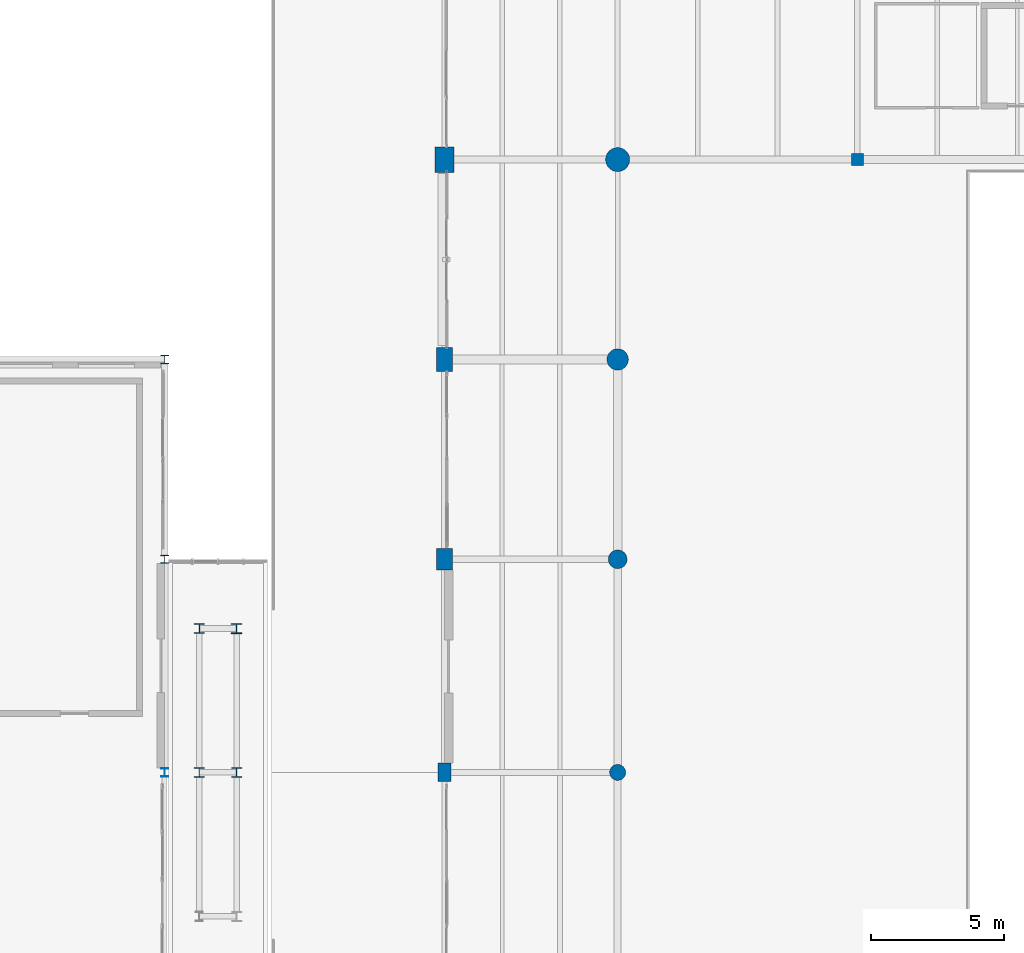
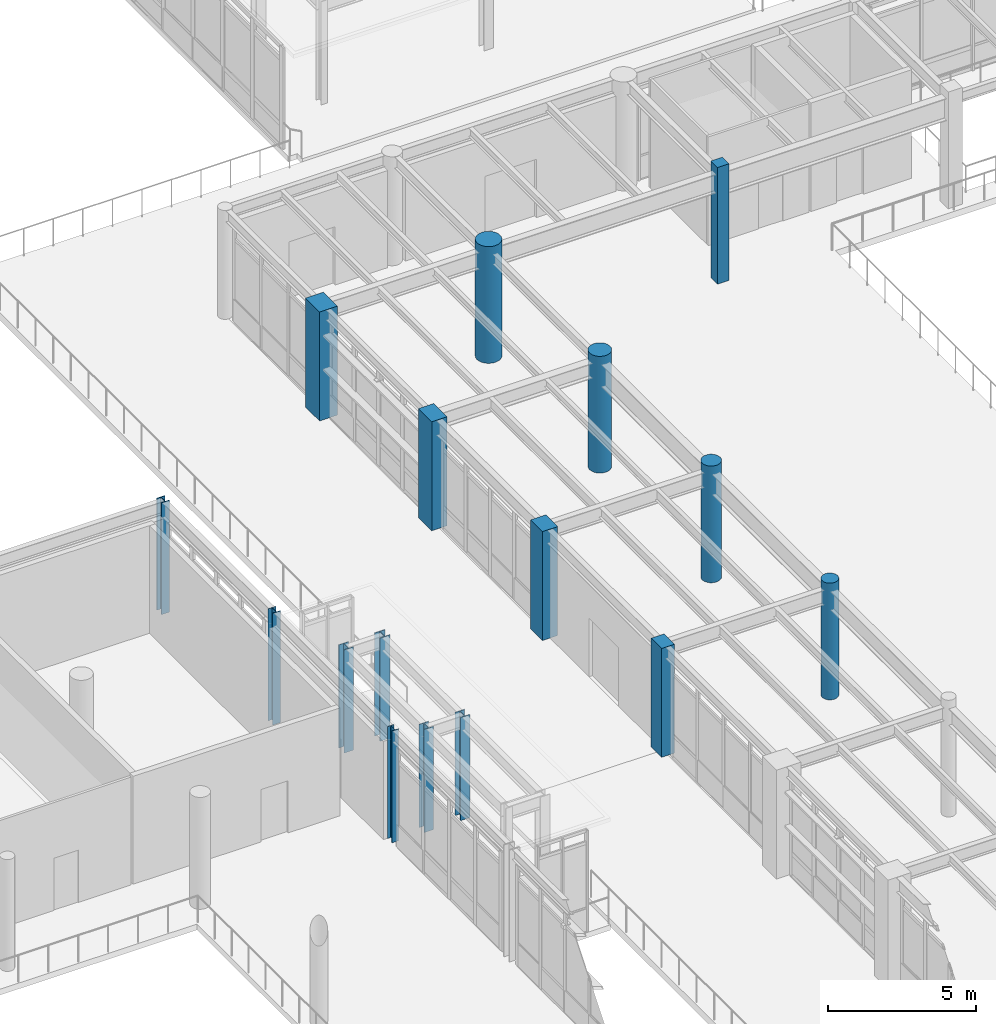
# One storey, part 4 of 200: 16 columns.
"""IFC4 building model written with IfcOpenShell, lengths in metres."""

from ifc_helpers import new_model, si_unit, direction, frame, origin, origin_2d, place, context, subcontext, project, spatial, rectangle, circle, i_section, extrude, material, material_profile, profile_set, type_object, element, save


model = new_model("IFC4")

# Units and contexts
model_context = context("Model", 3, precision=1e-05, world=origin(), true_north=direction((0.0, 1.0)))
body_context = subcontext(model_context, "Body", "Model", "MODEL_VIEW")
ifc_project = project(units=[si_unit("LENGTHUNIT", "METRE"), si_unit("AREAUNIT", "SQUARE_METRE"), si_unit("VOLUMEUNIT", "CUBIC_METRE"), si_unit("PLANEANGLEUNIT", "RADIAN"), si_unit("MASSUNIT", "GRAM", prefix="KILO"), si_unit("THERMODYNAMICTEMPERATUREUNIT", "KELVIN"), si_unit("POWERUNIT", "WATT")], contexts=[model_context])

# Site, building, storey
site_placement = place(None, origin())
site = spatial("IfcSite", under=ifc_project, at=site_placement, CompositionType="ELEMENT")
building_placement = place(site_placement, origin())
building = spatial("IfcBuilding", under=site, at=building_placement, Name="Tepalcoro Natatorium and Aquatics Centre", CompositionType="ELEMENT")
storey_placement = place(building_placement, frame((0.0, 0.0, 5.39990234375)))
storey = spatial("IfcBuildingStorey", under=building, at=storey_placement, Name="L01", CompositionType="ELEMENT", Elevation=5.39990234375)

# Columns
ifc_material_1 = material(Name="Concrete C40/50 (fc 40 MPa)", Category="concrete")
ifc_material_profile_1 = material_profile(ifc_material_1, rectangle(XDim=0.449951171875, YDim=0.449951171875, at=origin_2d()), Name="RC450x450")
ifc_profile_set_1 = profile_set([ifc_material_profile_1], Name="Concrete C40/50 (fc 40 MPa)")
column_type_1 = type_object("IfcColumnType", Name="COL_RC_450x450", PredefinedType="COLUMN", material=ifc_profile_set_1)
column_1_placement = place(storey_placement, frame((62.0, 59.0, 0.0), z_axis=(0.0, 0.0, 1.0), x_axis=(1.0, 0.0, 0.0)))
element("IfcColumn", 1, at=column_1_placement, inside=storey, type_object=column_type_1, Name="V1 L01 Grid Column (62.0, 59.0)", PredefinedType="COLUMN", context=body_context, shape_type="SweptSolid", body=[
    extrude(rectangle(XDim=0.449951171875, YDim=0.449951171875, at=origin_2d()), origin(), (0.0, 0.0, 1.0), 4.800048828125),
])
ifc_material_profile_2 = material_profile(ifc_material_1, rectangle(XDim=0.5, YDim=0.699951171875, at=origin_2d()), Name="RC500x700")
ifc_profile_set_2 = profile_set([ifc_material_profile_2], Name="Concrete C40/50 (fc 40 MPa)")
column_type_2 = type_object("IfcColumnType", Name="COL_RC_500x700", PredefinedType="COLUMN", material=ifc_profile_set_2)
column_2_placement = place(storey_placement, frame((46.5, 36.0, 0.0), z_axis=(0.0, 0.0, 1.0), x_axis=(1.0, 0.0, 0.0)))
element("IfcColumn", 2, at=column_2_placement, inside=storey, type_object=column_type_2, Name="V1 L01 Grid Column (46.5, 36.0)", PredefinedType="COLUMN", context=body_context, shape_type="SweptSolid", body=[
    extrude(rectangle(XDim=0.5, YDim=0.699951171875, at=origin_2d()), origin(), (0.0, 0.0, 1.0), 4.47998046875),
])
ifc_material_profile_3 = material_profile(ifc_material_1, rectangle(XDim=0.60009765625, YDim=0.800048828125, at=origin_2d()), Name="RC600x800")
ifc_profile_set_3 = profile_set([ifc_material_profile_3], Name="Concrete C40/50 (fc 40 MPa)")
column_type_3 = type_object("IfcColumnType", Name="COL_RC_600x800", PredefinedType="COLUMN", material=ifc_profile_set_3)
column_3_placement = place(storey_placement, frame((46.5, 44.0, 0.0), z_axis=(0.0, 0.0, 1.0), x_axis=(1.0, 0.0, 0.0)))
element("IfcColumn", 3, at=column_3_placement, inside=storey, type_object=column_type_3, Name="V1 L01 Grid Column (46.5, 44.0)", PredefinedType="COLUMN", context=body_context, shape_type="SweptSolid", body=[
    extrude(rectangle(XDim=0.60009765625, YDim=0.800048828125, at=origin_2d()), origin(), (0.0, 0.0, 1.0), 4.47998046875),
])
ifc_material_profile_4 = material_profile(ifc_material_1, rectangle(XDim=0.60009765625, YDim=0.89990234375, at=origin_2d()), Name="RC600x900")
ifc_profile_set_4 = profile_set([ifc_material_profile_4], Name="Concrete C40/50 (fc 40 MPa)")
column_type_4 = type_object("IfcColumnType", Name="COL_RC_600x900", PredefinedType="COLUMN", material=ifc_profile_set_4)
column_4_placement = place(storey_placement, frame((46.5, 51.5, 0.0), z_axis=(0.0, 0.0, 1.0), x_axis=(1.0, 0.0, 0.0)))
element("IfcColumn", 4, at=column_4_placement, inside=storey, type_object=column_type_4, Name="V1 L01 Grid Column (46.5, 51.5)", PredefinedType="COLUMN", context=body_context, shape_type="SweptSolid", body=[
    extrude(rectangle(XDim=0.60009765625, YDim=0.89990234375, at=origin_2d()), origin(), (0.0, 0.0, 1.0), 4.47998046875),
])
ifc_material_profile_5 = material_profile(ifc_material_1, rectangle(XDim=0.699951171875, YDim=0.949951171875, at=origin_2d()), Name="RC700x950")
ifc_profile_set_5 = profile_set([ifc_material_profile_5], Name="Concrete C40/50 (fc 40 MPa)")
column_type_5 = type_object("IfcColumnType", Name="COL_RC_700x950", PredefinedType="COLUMN", material=ifc_profile_set_5)
column_5_placement = place(storey_placement, frame((46.5, 59.0, 0.0), z_axis=(0.0, 0.0, 1.0), x_axis=(1.0, 0.0, 0.0)))
element("IfcColumn", 5, at=column_5_placement, inside=storey, type_object=column_type_5, Name="V1 L01 Grid Column (46.5, 59.0)", PredefinedType="COLUMN", context=body_context, shape_type="SweptSolid", body=[
    extrude(rectangle(XDim=0.699951171875, YDim=0.949951171875, at=origin_2d()), origin(), (0.0, 0.0, 1.0), 4.47998046875),
])
ifc_material_profile_6 = material_profile(ifc_material_1, circle(Radius=0.300048828125, at=origin_2d()), Name="RCD600")
ifc_profile_set_6 = profile_set([ifc_material_profile_6], Name="Concrete C40/50 (fc 40 MPa)")
column_type_6 = type_object("IfcColumnType", Name="COL_RC_D600", PredefinedType="COLUMN", material=ifc_profile_set_6)
column_6_placement = place(storey_placement, frame((53.0, 36.0, 0.0), z_axis=(0.0, 0.0, 1.0), x_axis=(1.0, 0.0, 0.0)))
element("IfcColumn", 6, at=column_6_placement, inside=storey, type_object=column_type_6, Name="V1 L01 Grid Column (53.0, 36.0)", PredefinedType="COLUMN", context=body_context, shape_type="SweptSolid", body=[
    extrude(circle(Radius=0.300048828125, at=origin_2d()), origin(), (0.0, 0.0, 1.0), 4.800048828125),
])
ifc_material_profile_7 = material_profile(ifc_material_1, circle(Radius=0.35009765625, at=origin_2d()), Name="RCD700")
ifc_profile_set_7 = profile_set([ifc_material_profile_7], Name="Concrete C40/50 (fc 40 MPa)")
column_type_7 = type_object("IfcColumnType", Name="COL_RC_D700", PredefinedType="COLUMN", material=ifc_profile_set_7)
column_7_placement = place(storey_placement, frame((53.0, 44.0, 0.0), z_axis=(0.0, 0.0, 1.0), x_axis=(1.0, 0.0, 0.0)))
element("IfcColumn", 7, at=column_7_placement, inside=storey, type_object=column_type_7, Name="V1 L01 Grid Column (53.0, 44.0)", PredefinedType="COLUMN", context=body_context, shape_type="SweptSolid", body=[
    extrude(circle(Radius=0.35009765625, at=origin_2d()), origin(), (0.0, 0.0, 1.0), 4.800048828125),
])
ifc_material_profile_8 = material_profile(ifc_material_1, circle(Radius=0.39990234375, at=origin_2d()), Name="RCD800")
ifc_profile_set_8 = profile_set([ifc_material_profile_8], Name="Concrete C40/50 (fc 40 MPa)")
column_type_8 = type_object("IfcColumnType", Name="COL_RC_D800", PredefinedType="COLUMN", material=ifc_profile_set_8)
column_8_placement = place(storey_placement, frame((53.0, 51.5, 0.0), z_axis=(0.0, 0.0, 1.0), x_axis=(1.0, 0.0, 0.0)))
element("IfcColumn", 8, at=column_8_placement, inside=storey, type_object=column_type_8, Name="V1 L01 Grid Column (53.0, 51.5)", PredefinedType="COLUMN", context=body_context, shape_type="SweptSolid", body=[
    extrude(circle(Radius=0.39990234375, at=origin_2d()), origin(), (0.0, 0.0, 1.0), 4.800048828125),
])
ifc_material_profile_9 = material_profile(ifc_material_1, circle(Radius=0.449951171875, at=origin_2d()), Name="RCD900")
ifc_profile_set_9 = profile_set([ifc_material_profile_9], Name="Concrete C40/50 (fc 40 MPa)")
column_type_9 = type_object("IfcColumnType", Name="COL_RC_D900", PredefinedType="COLUMN", material=ifc_profile_set_9)
column_9_placement = place(storey_placement, frame((53.0, 59.0, 0.0), z_axis=(0.0, 0.0, 1.0), x_axis=(1.0, 0.0, 0.0)))
element("IfcColumn", 9, at=column_9_placement, inside=storey, type_object=column_type_9, Name="V1 L01 Grid Column (53.0, 59.0)", PredefinedType="COLUMN", context=body_context, shape_type="SweptSolid", body=[
    extrude(circle(Radius=0.449951171875, at=origin_2d()), origin(), (0.0, 0.0, 1.0), 4.800048828125),
])
ifc_material_2 = material(Name="Steel ASTM A992 Grade 50 (Fy 345 MPa)", Category="steel")
ifc_material_profile_10 = material_profile(ifc_material_2, i_section(OverallWidth=0.31005859375, OverallDepth=0.327880859375, WebThickness=0.014892578125, FlangeThickness=0.02490234375, FilletRadius=0.013916015625, at=origin_2d()), Name="W12X106")
ifc_profile_set_10 = profile_set([ifc_material_profile_10], Name="Steel ASTM A992 Grade 50 (Fy 345 MPa)")
column_type_10 = type_object("IfcColumnType", Name="COL_W12x106", PredefinedType="COLUMN", material=ifc_profile_set_10)
column_10_placement = place(storey_placement, frame((36.0, 51.5, 0.0), z_axis=(0.0, 0.0, 1.0), x_axis=(1.0, 0.0, 0.0)))
element("IfcColumn", 10, at=column_10_placement, inside=storey, type_object=column_type_10, Name="V3 L01 Grid Column (36.0, 51.5)", PredefinedType="COLUMN", context=body_context, shape_type="SweptSolid", body=[
    extrude(i_section(OverallWidth=0.31005859375, OverallDepth=0.327880859375, WebThickness=0.014892578125, FlangeThickness=0.02490234375, FilletRadius=0.013916015625, at=origin_2d()), origin(), (0.0, 0.0, 1.0), 4.60009765625),
])
ifc_material_profile_11 = material_profile(ifc_material_2, i_section(OverallWidth=0.25390625, OverallDepth=0.306884765625, WebThickness=0.009033203125, FlangeThickness=0.014892578125, FilletRadius=0.013916015625, at=origin_2d()), Name="W12X53")
ifc_profile_set_11 = profile_set([ifc_material_profile_11], Name="Steel ASTM A992 Grade 50 (Fy 345 MPa)")
column_type_11 = type_object("IfcColumnType", Name="COL_W12x53", PredefinedType="COLUMN", material=ifc_profile_set_11)
column_11_placement = place(storey_placement, frame((36.0, 36.0, 0.0), z_axis=(0.0, 0.0, 1.0), x_axis=(1.0, 0.0, 0.0)))
element("IfcColumn", 11, at=column_11_placement, inside=storey, type_object=column_type_11, Name="V3 L01 Grid Column (36.0, 36.0)", PredefinedType="COLUMN", context=body_context, shape_type="SweptSolid", body=[
    extrude(i_section(OverallWidth=0.25390625, OverallDepth=0.306884765625, WebThickness=0.009033203125, FlangeThickness=0.014892578125, FilletRadius=0.013916015625, at=origin_2d()), origin(), (0.0, 0.0, 1.0), 4.60009765625),
])
ifc_material_profile_12 = material_profile(ifc_material_2, i_section(OverallWidth=0.306884765625, OverallDepth=0.31494140625, WebThickness=0.011962890625, FlangeThickness=0.01904296875, FilletRadius=0.013916015625, at=origin_2d()), Name="W12X79")
ifc_profile_set_12 = profile_set([ifc_material_profile_12], Name="Steel ASTM A992 Grade 50 (Fy 345 MPa)")
column_type_12 = type_object("IfcColumnType", Name="COL_W12x79", PredefinedType="COLUMN", material=ifc_profile_set_12)
column_12_placement = place(storey_placement, frame((36.0, 44.0, 0.0), z_axis=(0.0, 0.0, 1.0), x_axis=(1.0, 0.0, 0.0)))
element("IfcColumn", 12, at=column_12_placement, inside=storey, type_object=column_type_12, Name="V3 L01 Grid Column (36.0, 44.0)", PredefinedType="COLUMN", context=body_context, shape_type="SweptSolid", body=[
    extrude(i_section(OverallWidth=0.306884765625, OverallDepth=0.31494140625, WebThickness=0.011962890625, FlangeThickness=0.01904296875, FilletRadius=0.013916015625, at=origin_2d()), origin(), (0.0, 0.0, 1.0), 4.60009765625),
])
ifc_material_profile_13 = material_profile(ifc_material_2, i_section(OverallWidth=0.373046875, OverallDepth=0.367919921875, WebThickness=0.014892578125, FlangeThickness=0.02392578125, FilletRadius=0.013916015625, at=origin_2d()), Name="W14X120")
ifc_profile_set_13 = profile_set([ifc_material_profile_13], Name="Steel ASTM A992 Grade 50 (Fy 345 MPa)")
column_type_13 = type_object("IfcColumnType", Name="COL_W14x120", PredefinedType="COLUMN", material=ifc_profile_set_13)
for number, where, z_axis, x_axis, name in (
    (13, (37.300048828125, 41.39990234375, 0.0), (0.0, 0.0, 1.0), (1.0, 0.0, 0.0), "West Foyer Seismic Link Column L01"),
    (14, (38.699951171875, 36.0, 0.0), (0.0, 0.0, 1.0), (1.0, 0.0, 0.0), "West Foyer Seismic Link Column L01"),
):
    element("IfcColumn", number, at=place(storey_placement, frame(where, z_axis=z_axis, x_axis=x_axis)), inside=storey, type_object=column_type_13, Name=name, PredefinedType="COLUMN", context=body_context, shape_type="SweptSolid", body=[
        extrude(i_section(OverallWidth=0.373046875, OverallDepth=0.367919921875, WebThickness=0.014892578125, FlangeThickness=0.02392578125, FilletRadius=0.013916015625, at=origin_2d()), origin(), (0.0, 0.0, 1.0), 4.239990234375),
    ])
ifc_material_profile_14 = material_profile(ifc_material_2, i_section(OverallWidth=0.39404296875, OverallDepth=0.3759765625, WebThickness=0.01708984375, FlangeThickness=0.028076171875, FilletRadius=0.013916015625, at=origin_2d()), Name="W14X145")
ifc_profile_set_14 = profile_set([ifc_material_profile_14], Name="Steel ASTM A992 Grade 50 (Fy 345 MPa)")
column_type_14 = type_object("IfcColumnType", Name="COL_W14x145", PredefinedType="COLUMN", material=ifc_profile_set_14)
column_13_placement = place(storey_placement, frame((38.699951171875, 41.39990234375, 0.0), z_axis=(0.0, 0.0, 1.0), x_axis=(1.0, 0.0, 0.0)))
element("IfcColumn", 15, at=column_13_placement, inside=storey, type_object=column_type_14, Name="West Foyer Seismic Link Column L01", PredefinedType="COLUMN", context=body_context, shape_type="SweptSolid", body=[
    extrude(i_section(OverallWidth=0.39404296875, OverallDepth=0.3759765625, WebThickness=0.01708984375, FlangeThickness=0.028076171875, FilletRadius=0.013916015625, at=origin_2d()), origin(), (0.0, 0.0, 1.0), 4.239990234375),
])
ifc_material_profile_15 = material_profile(ifc_material_2, i_section(OverallWidth=0.367919921875, OverallDepth=0.35595703125, WebThickness=0.010986328125, FlangeThickness=0.01806640625, FilletRadius=0.013916015625, at=origin_2d()), Name="W14X90")
ifc_profile_set_15 = profile_set([ifc_material_profile_15], Name="Steel ASTM A992 Grade 50 (Fy 345 MPa)")
column_type_15 = type_object("IfcColumnType", Name="COL_W14x90", PredefinedType="COLUMN", material=ifc_profile_set_15)
column_14_placement = place(storey_placement, frame((37.300048828125, 36.0, 0.0), z_axis=(0.0, 0.0, 1.0), x_axis=(1.0, 0.0, 0.0)))
element("IfcColumn", 16, at=column_14_placement, inside=storey, type_object=column_type_15, Name="West Foyer Seismic Link Column L01", PredefinedType="COLUMN", context=body_context, shape_type="SweptSolid", body=[
    extrude(i_section(OverallWidth=0.367919921875, OverallDepth=0.35595703125, WebThickness=0.010986328125, FlangeThickness=0.01806640625, FilletRadius=0.013916015625, at=origin_2d()), origin(), (0.0, 0.0, 1.0), 4.239990234375),
])

save(model, "model.ifc")
